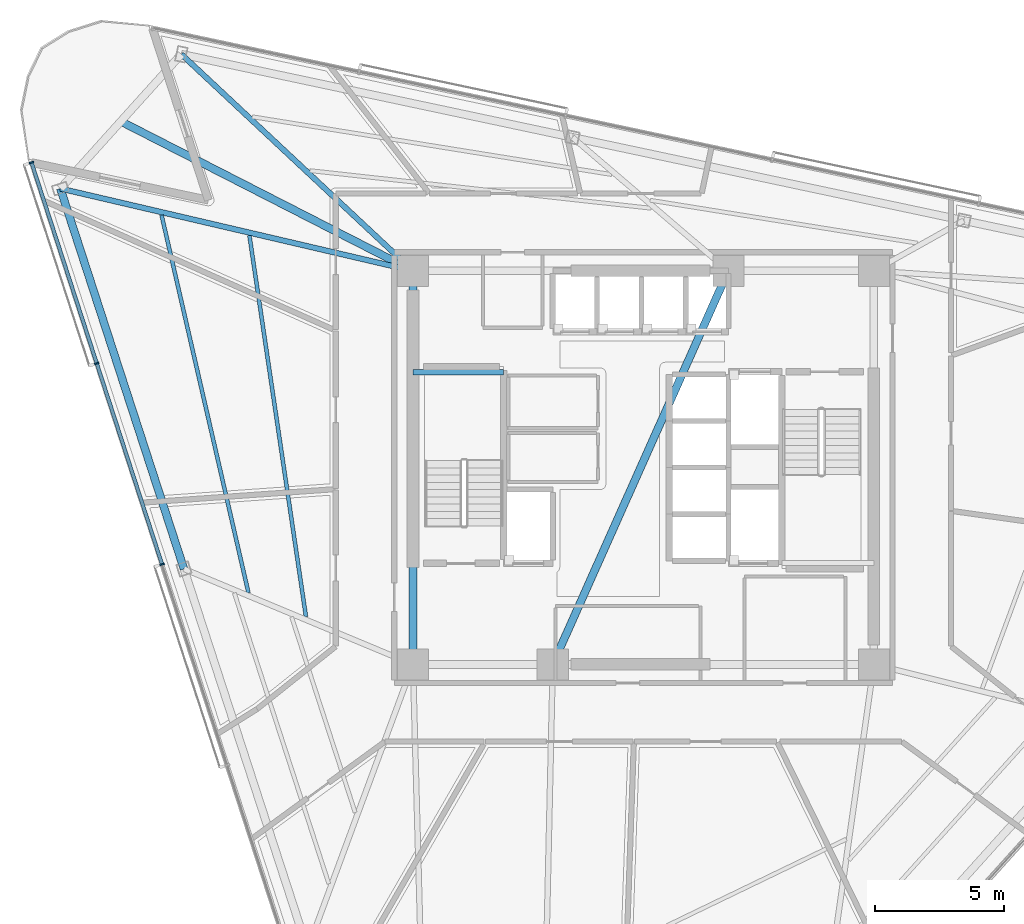
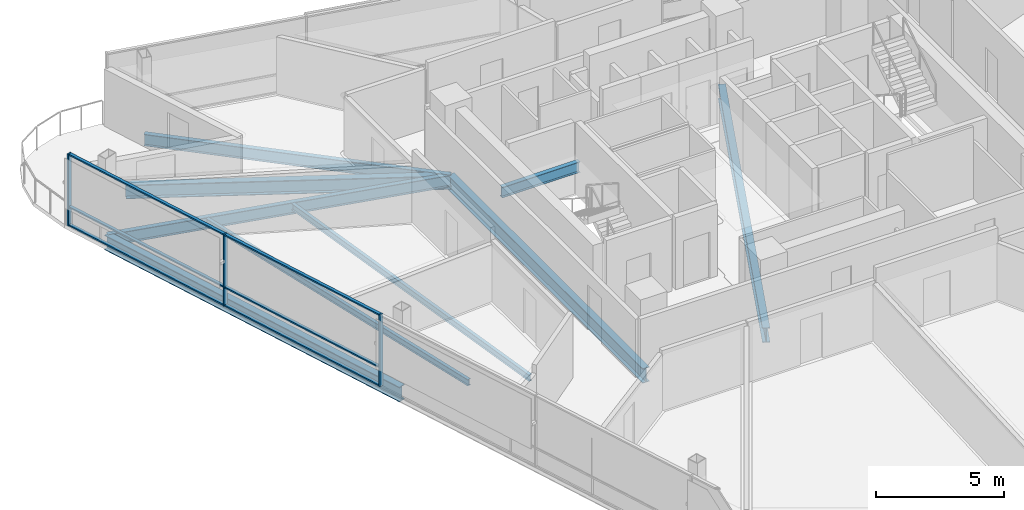
# One storey, part 5 of 17: 9 beams, 9 members, 1 element without a shape of its own.
"""IFC4 building model written with IfcOpenShell, lengths in metres."""

from ifc_helpers import new_model, si_unit, direction, frame, origin, origin_2d, place, context, subcontext, project, spatial, rectangle, i_section, extrude, material, layer, layer_set, material_profile, profile_set, type_object, element, aggregate, save


model = new_model("IFC4")

# Units and contexts
model_context = context("Model", 3, precision=1e-05, world=origin(), true_north=direction((0.0, 1.0)))
body_context = subcontext(model_context, "Body", "Model", "MODEL_VIEW")
ifc_project = project(units=[si_unit("LENGTHUNIT", "METRE"), si_unit("AREAUNIT", "SQUARE_METRE"), si_unit("VOLUMEUNIT", "CUBIC_METRE"), si_unit("PLANEANGLEUNIT", "RADIAN"), si_unit("MASSUNIT", "GRAM", prefix="KILO")], contexts=[model_context])

# Site, building, storey
site_placement = place(None, origin())
site = spatial("IfcSite", under=ifc_project, at=site_placement, CompositionType="ELEMENT")
building_placement = place(site_placement, origin())
building = spatial("IfcBuilding", under=site, at=building_placement, Name="Tharavind Bronze Gate", CompositionType="ELEMENT")
storey_placement = place(building_placement, frame((0.0, 0.0, 214.85009765625)))
storey = spatial("IfcBuildingStorey", under=building, at=storey_placement, Name="L55", CompositionType="ELEMENT", Elevation=214.85009765625)

# Curtain wall, members
ifc_material_1 = material(Name="Anodised Bronze Aluminium", Category="aluminium")
ifc_layer = layer(ifc_material_1, 0.219970703125)
ifc_layer_set = layer_set([ifc_layer], Name="Anodised Bronze Aluminium")
curtain_wall_type = type_object("IfcCurtainWallType", Name="UNITISED CURTAIN WALL MID OFFICE", PredefinedType="USERDEFINED", material=ifc_layer_set)
curtain_wall_placement = place(storey_placement, origin())
curtain_wall = element("IfcCurtainWall", 1, at=curtain_wall_placement, inside=storey, type_object=curtain_wall_type, Name="L55 unitised curtain wall mid office CW-L55-S1", ObjectType="UNITISED CURTAIN WALL", PredefinedType="USERDEFINED")
member_type_1 = type_object("IfcMemberType", Name="CURTAIN WALL BRONZE MULLION 65X180", PredefinedType="MULLION", material=ifc_material_1)
member_1_placement = place(storey_placement, frame((-23.630126953125, 11.780517578125, 0.0), z_axis=(0.0, 0.0, 1.0), x_axis=(0.309016994375, -0.951056516295, 0.0)))
member_1 = element("IfcMember", 2, at=member_1_placement, type_object=member_type_1, Name="CW-L55-S1 mullion 1", PredefinedType="MULLION", context=body_context, shape_type="SweptSolid", body=[
    extrude(rectangle(XDim=0.06494140625, YDim=0.179931640625, at=origin_2d()), origin(), (0.0, 0.0, 1.0), 3.419921875),
])
member_2_placement = place(storey_placement, frame((-21.10986328125, 4.02392578125, 0.0), z_axis=(0.0, 0.0, 1.0), x_axis=(0.309016994375, -0.951056516295, 0.0)))
member_2 = element("IfcMember", 3, at=member_2_placement, type_object=member_type_1, Name="CW-L55-S1 mullion 2", PredefinedType="MULLION", context=body_context, shape_type="SweptSolid", body=[
    extrude(rectangle(XDim=0.06494140625, YDim=0.179931640625, at=origin_2d()), origin(), (0.0, 0.0, 1.0), 3.419921875),
])
member_3_placement = place(storey_placement, frame((-18.589599609375, -3.732666015625, 0.0), z_axis=(0.0, 0.0, 1.0), x_axis=(0.309016994375, -0.951056516295, 0.0)))
member_3 = element("IfcMember", 4, at=member_3_placement, type_object=member_type_1, Name="CW-L55-S1 mullion 3", PredefinedType="MULLION", context=body_context, shape_type="SweptSolid", body=[
    extrude(rectangle(XDim=0.06494140625, YDim=0.179931640625, at=origin_2d()), origin(), (0.0, 0.0, 1.0), 3.419921875),
])
member_type_2 = type_object("IfcMemberType", Name="CURTAIN WALL BRONZE TRANSOM 65X140", PredefinedType="USERDEFINED", material=ifc_material_1)
member_4_placement = place(storey_placement, frame((-22.3701171875, 7.902099609375, 0.0), z_axis=(0.0, 0.0, 1.0), x_axis=(0.309016994375, -0.951056516295, 0.0)))
member_4 = element("IfcMember", 5, at=member_4_placement, type_object=member_type_2, Name="CW-L55-S1 transom TB1", ObjectType="TRANSOM", PredefinedType="USERDEFINED", context=body_context, shape_type="SweptSolid", body=[
    extrude(rectangle(XDim=8.102783203125, YDim=0.139892578125, at=origin_2d()), origin(), (0.0, 0.0, 1.0), 0.06494140625),
])
member_5_placement = place(storey_placement, frame((-22.3701171875, 7.902099609375, 0.867431640625), z_axis=(0.0, 0.0, 1.0), x_axis=(0.309016994375, -0.951056516295, 0.0)))
member_5 = element("IfcMember", 6, at=member_5_placement, type_object=member_type_2, Name="CW-L55-S1 transom TS1", ObjectType="TRANSOM", PredefinedType="USERDEFINED", context=body_context, shape_type="SweptSolid", body=[
    extrude(rectangle(XDim=8.102783203125, YDim=0.139892578125, at=origin_2d()), origin(), (0.0, 0.0, 1.0), 0.06494140625),
])
member_6_placement = place(storey_placement, frame((-22.3701171875, 7.902099609375, 3.35498046875), z_axis=(0.0, 0.0, 1.0), x_axis=(0.309016994375, -0.951056516295, 0.0)))
member_6 = element("IfcMember", 7, at=member_6_placement, type_object=member_type_2, Name="CW-L55-S1 transom TT1", ObjectType="TRANSOM", PredefinedType="USERDEFINED", context=body_context, shape_type="SweptSolid", body=[
    extrude(rectangle(XDim=8.102783203125, YDim=0.139892578125, at=origin_2d()), origin(), (0.0, 0.0, 1.0), 0.06494140625),
])
member_7_placement = place(storey_placement, frame((-19.849853515625, 0.145751953125, 0.0), z_axis=(0.0, 0.0, 1.0), x_axis=(0.309016994375, -0.951056516295, 0.0)))
member_7 = element("IfcMember", 8, at=member_7_placement, type_object=member_type_2, Name="CW-L55-S1 transom TB2", ObjectType="TRANSOM", PredefinedType="USERDEFINED", context=body_context, shape_type="SweptSolid", body=[
    extrude(rectangle(XDim=8.102783203125, YDim=0.139892578125, at=origin_2d()), origin(), (0.0, 0.0, 1.0), 0.06494140625),
])
member_8_placement = place(storey_placement, frame((-19.849853515625, 0.145751953125, 0.867431640625), z_axis=(0.0, 0.0, 1.0), x_axis=(0.309016994375, -0.951056516295, 0.0)))
member_8 = element("IfcMember", 9, at=member_8_placement, type_object=member_type_2, Name="CW-L55-S1 transom TS2", ObjectType="TRANSOM", PredefinedType="USERDEFINED", context=body_context, shape_type="SweptSolid", body=[
    extrude(rectangle(XDim=8.102783203125, YDim=0.139892578125, at=origin_2d()), origin(), (0.0, 0.0, 1.0), 0.06494140625),
])
member_9_placement = place(storey_placement, frame((-19.849853515625, 0.145751953125, 3.35498046875), z_axis=(0.0, 0.0, 1.0), x_axis=(0.309016994375, -0.951056516295, 0.0)))
member_9 = element("IfcMember", 10, at=member_9_placement, type_object=member_type_2, Name="CW-L55-S1 transom TT2", ObjectType="TRANSOM", PredefinedType="USERDEFINED", context=body_context, shape_type="SweptSolid", body=[
    extrude(rectangle(XDim=8.102783203125, YDim=0.139892578125, at=origin_2d()), origin(), (0.0, 0.0, 1.0), 0.06494140625),
])
aggregate(curtain_wall, [member_1, member_2, member_3, member_4, member_5, member_6, member_7, member_8, member_9])

# Beams
ifc_material_2 = material(Name="Steel S355", Category="steel")
ifc_material_profile_1 = material_profile(ifc_material_2, i_section(OverallWidth=0.300048828125, OverallDepth=0.64990234375, WebThickness=0.01611328125, FlangeThickness=0.031005859375, at=origin_2d()), Name="HE650B")
ifc_profile_set_1 = profile_set([ifc_material_profile_1], Name="Steel S355")
beam_type_1 = type_object("IfcBeamType", Name="PRIMARY GIRDER HE650B", PredefinedType="USERDEFINED", material=ifc_profile_set_1)
beam_1_placement = place(storey_placement, frame((-8.89990234375, 7.60009765625, -0.505126953125), z_axis=(-0.890281411762, 0.455410812202, 0.0), x_axis=(-0.455410812202, -0.890281411762, 0.0)))
element("IfcBeam", 11, at=beam_1_placement, inside=storey, type_object=beam_type_1, Name="L55 primary girder he650b BM-L55-BLCSB", ObjectType="GIRDER", PredefinedType="USERDEFINED", context=body_context, shape_type="SweptSolid", body=[
    extrude(i_section(OverallWidth=0.300048828125, OverallDepth=0.64990234375, WebThickness=0.01611328125, FlangeThickness=0.031005859375, at=origin_2d()), origin(), (0.0, 0.0, 1.0), 12.67041015625),
])
ifc_material_profile_2 = material_profile(ifc_material_2, i_section(OverallWidth=0.199951171875, OverallDepth=0.5, WebThickness=0.01025390625, FlangeThickness=0.01611328125, at=origin_2d()), Name="IPE500")
ifc_profile_set_2 = profile_set([ifc_material_profile_2], Name="Steel S355")
beam_type_2 = type_object("IfcBeamType", Name="PRIMARY GIRDER IPE500", PredefinedType="USERDEFINED", material=ifc_profile_set_2)
beam_2_placement = place(storey_placement, frame((-8.89990234375, 3.679931640625, 1.349853515625), z_axis=(1.0, 0.0, 0.0), x_axis=(0.0, 1.0, 0.0)))
element("IfcBeam", 12, at=beam_2_placement, inside=storey, type_object=beam_type_2, Name="L55 primary girder ipe500 BM-LD-ST1-L55-1", ObjectType="GIRDER", PredefinedType="USERDEFINED", context=body_context, shape_type="SweptSolid", body=[
    extrude(i_section(OverallWidth=0.199951171875, OverallDepth=0.5, WebThickness=0.01025390625, FlangeThickness=0.01611328125, at=origin_2d()), origin(), (0.0, 0.0, 1.0), 3.5),
])
ifc_material_profile_3 = material_profile(ifc_material_2, i_section(OverallWidth=0.2099609375, OverallDepth=0.550048828125, WebThickness=0.010986328125, FlangeThickness=0.01708984375, at=origin_2d()), Name="IPE550")
ifc_profile_set_3 = profile_set([ifc_material_profile_3], Name="Steel S355")
beam_type_3 = type_object("IfcBeamType", Name="PRIMARY GIRDER IPE550", PredefinedType="USERDEFINED", material=ifc_profile_set_3)
beam_3_placement = place(storey_placement, frame((-22.515380859375, 10.77685546875, -0.455078125), z_axis=(0.973844172145, -0.227216919219, 0.0), x_axis=(0.227216919219, 0.973844172145, 0.0)))
element("IfcBeam", 13, at=beam_3_placement, inside=storey, type_object=beam_type_3, Name="L55 primary girder ipe550 BM-L55-RAD01", ObjectType="GIRDER", PredefinedType="USERDEFINED", context=body_context, shape_type="SweptSolid", body=[
    extrude(i_section(OverallWidth=0.2099609375, OverallDepth=0.550048828125, WebThickness=0.010986328125, FlangeThickness=0.01708984375, at=origin_2d()), origin(), (0.0, 0.0, 1.0), 13.981201171875),
])
beam_4_placement = place(storey_placement, frame((-17.844970703125, 15.9638671875, -0.455078125), z_axis=(0.730442397204, -0.682974307252, 0.0), x_axis=(0.682974307252, 0.730442397204, 0.0)))
element("IfcBeam", 14, at=beam_4_placement, inside=storey, type_object=beam_type_3, Name="L55 primary girder ipe550 BM-L55-RAD12", ObjectType="GIRDER", PredefinedType="USERDEFINED", context=body_context, shape_type="SweptSolid", body=[
    extrude(i_section(OverallWidth=0.2099609375, OverallDepth=0.550048828125, WebThickness=0.010986328125, FlangeThickness=0.01708984375, at=origin_2d()), origin(), (0.0, 0.0, 1.0), 12.24609375),
])
ifc_material_profile_4 = material_profile(ifc_material_2, i_section(OverallWidth=0.300048828125, OverallDepth=0.699951171875, WebThickness=0.01708984375, FlangeThickness=0.031982421875, at=origin_2d()), Name="HE700B")
ifc_profile_set_4 = profile_set([ifc_material_profile_4], Name="Steel S355")
beam_type_4 = type_object("IfcBeamType", Name="RING GIRDER HE700B", PredefinedType="USERDEFINED", material=ifc_profile_set_4)
beam_5_placement = place(storey_placement, frame((-8.89990234375, 7.60009765625, -0.530029296875), z_axis=(0.0, -1.0, 0.0), x_axis=(1.0, 0.0, 0.0)))
element("IfcBeam", 15, at=beam_5_placement, inside=storey, type_object=beam_type_4, Name="L55 ring girder he700b BM-L55-CR6", ObjectType="GIRDER", PredefinedType="USERDEFINED", context=body_context, shape_type="SweptSolid", body=[
    extrude(i_section(OverallWidth=0.300048828125, OverallDepth=0.699951171875, WebThickness=0.01708984375, FlangeThickness=0.031982421875, at=origin_2d()), origin(), (0.0, 0.0, 1.0), 15.2001953125),
])
beam_6_placement = place(storey_placement, frame((-3.5, -7.60009765625, -0.530029296875), z_axis=(0.407361644566, 0.913266932795, 0.0), x_axis=(-0.913266932795, 0.407361644566, 0.0)))
element("IfcBeam", 16, at=beam_6_placement, inside=storey, type_object=beam_type_4, Name="L55 ring girder he700b BM-L55-CR7", ObjectType="GIRDER", PredefinedType="USERDEFINED", context=body_context, shape_type="SweptSolid", body=[
    extrude(i_section(OverallWidth=0.300048828125, OverallDepth=0.699951171875, WebThickness=0.01708984375, FlangeThickness=0.031982421875, at=origin_2d()), origin(), (0.0, 0.0, 1.0), 16.643798828125),
])
beam_7_placement = place(storey_placement, frame((-22.515380859375, 10.77685546875, -0.530029296875), z_axis=(0.309006009957, -0.951060085279, 0.0), x_axis=(0.951060085279, 0.309006009957, 0.0)))
element("IfcBeam", 17, at=beam_7_placement, inside=storey, type_object=beam_type_4, Name="L55 ring girder he700b BM-L55-PRG01", ObjectType="GIRDER", PredefinedType="USERDEFINED", context=body_context, shape_type="SweptSolid", body=[
    extrude(i_section(OverallWidth=0.300048828125, OverallDepth=0.699951171875, WebThickness=0.01708984375, FlangeThickness=0.031982421875, at=origin_2d()), origin(), (0.0, 0.0, 1.0), 15.4453125),
])
ifc_material_profile_5 = material_profile(ifc_material_2, i_section(OverallWidth=0.14990234375, OverallDepth=0.300048828125, WebThickness=0.007080078125, FlangeThickness=0.0107421875, at=origin_2d()), Name="IPE300")
ifc_profile_set_5 = profile_set([ifc_material_profile_5], Name="Steel S355")
beam_type_5 = type_object("IfcBeamType", Name="SECONDARY FLOOR JOIST IPE300", PredefinedType="JOIST", material=ifc_profile_set_5)
beam_8_placement = place(storey_placement, frame((-15.214111328125, 8.961669921875, -0.330078125), z_axis=(0.146719879942, -0.989178081454, 0.0), x_axis=(0.989178081454, 0.146719879942, 0.0)))
element("IfcBeam", 18, at=beam_8_placement, inside=storey, type_object=beam_type_5, Name="L55 secondary floor joist ipe300 BM-L55-JSTA01", PredefinedType="JOIST", context=body_context, shape_type="SweptSolid", body=[
    extrude(i_section(OverallWidth=0.14990234375, OverallDepth=0.300048828125, WebThickness=0.007080078125, FlangeThickness=0.0107421875, at=origin_2d()), origin(), (0.0, 0.0, 1.0), 14.8828125),
])
beam_9_placement = place(storey_placement, frame((-18.60791015625, 9.753662109375, -0.330078125), z_axis=(0.224186420064, -0.974546278562, 0.0), x_axis=(0.974546278562, 0.224186420064, 0.0)))
element("IfcBeam", 19, at=beam_9_placement, inside=storey, type_object=beam_type_5, Name="L55 secondary floor joist ipe300 BM-L55-JSTB01", PredefinedType="JOIST", context=body_context, shape_type="SweptSolid", body=[
    extrude(i_section(OverallWidth=0.14990234375, OverallDepth=0.300048828125, WebThickness=0.007080078125, FlangeThickness=0.0107421875, at=origin_2d()), origin(), (0.0, 0.0, 1.0), 14.968505859375),
])

save(model, "model.ifc")
